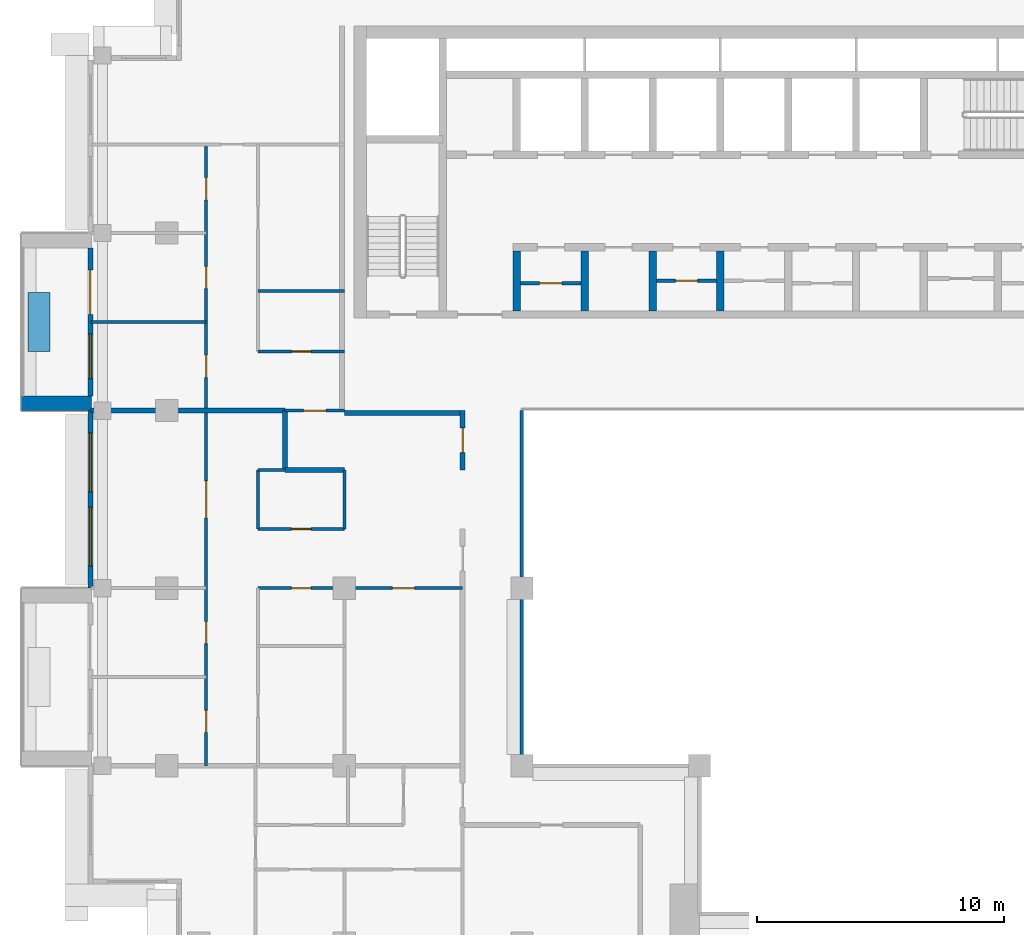
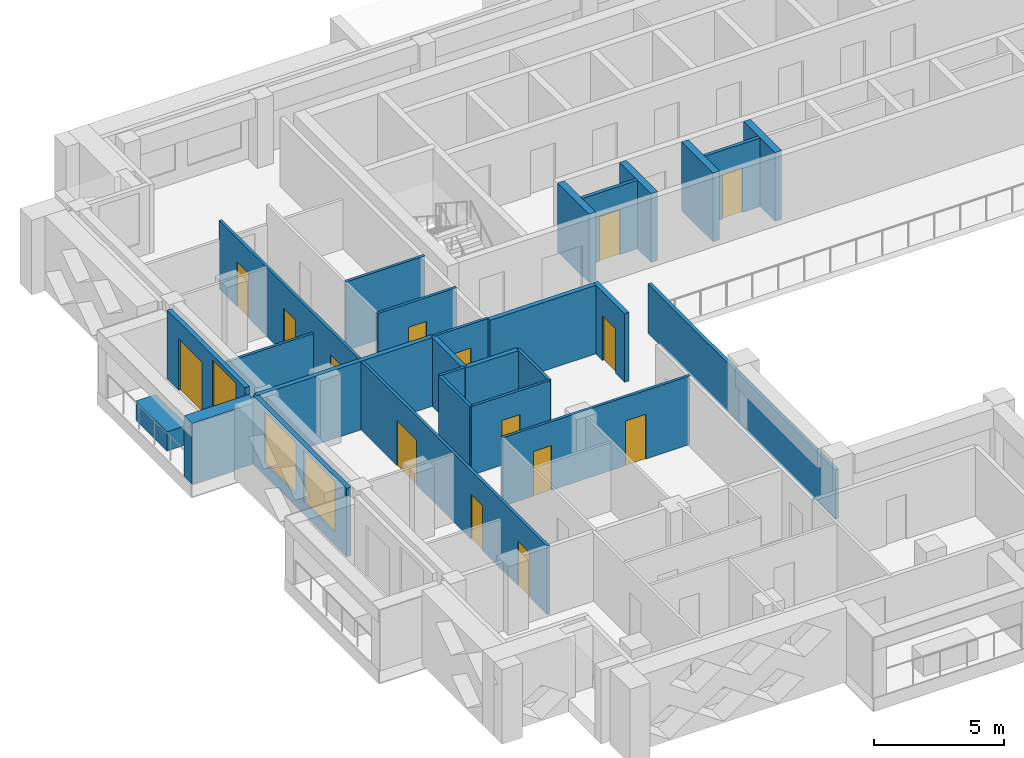
# One storey, part 7 of 19: 26 walls, 15 doors, 3 windows, 18 openings.
"""IFC4 building model written with IfcOpenShell, lengths in metres."""

from ifc_helpers import new_model, si_unit, direction, frame, frame_2d, origin, place, context, subcontext, project, spatial, rectangle, extrude, material, layer, layer_set, type_object, element, fill, save


model = new_model("IFC4")

# Units and contexts
model_context = context("Model", 3, precision=1e-05, world=origin(), true_north=direction((0.0, 1.0)))
body_context = subcontext(model_context, "Body", "Model", "MODEL_VIEW")
ifc_project = project(units=[si_unit("LENGTHUNIT", "METRE"), si_unit("AREAUNIT", "SQUARE_METRE"), si_unit("VOLUMEUNIT", "CUBIC_METRE"), si_unit("PLANEANGLEUNIT", "RADIAN"), si_unit("MASSUNIT", "GRAM", prefix="KILO")], contexts=[model_context])

# Site, building, storey
site_placement = place(None, origin())
site = spatial("IfcSite", under=ifc_project, at=site_placement, CompositionType="ELEMENT")
building_placement = place(site_placement, origin())
building = spatial("IfcBuilding", under=site, at=building_placement, Name="Saffron Iwan Residences", CompositionType="ELEMENT")
storey_placement = place(building_placement, frame((0.0, 0.0, 225.5)))
storey = spatial("IfcBuildingStorey", under=building, at=storey_placement, Name="L60", CompositionType="ELEMENT", Elevation=225.5)

# Walls
ifc_material_1 = material(Name="Fire-rated glazing", Category="glass")
ifc_layer_1 = layer(ifc_material_1, 0.14990234375)
ifc_layer_set_1 = layer_set([ifc_layer_1], Name="Fire-rated glazing")
wall_type_1 = type_object("IfcWallType", Name="Atrium glazed screen 150", PredefinedType="SOLIDWALL", material=ifc_layer_set_1)
wall_1_placement = place(storey_placement, frame((36.0, 48.0, 0.0), z_axis=(0.0, 0.0, 1.0), x_axis=(0.0, 1.0, 0.0)))
element("IfcWall", 1, at=wall_1_placement, inside=storey, type_object=wall_type_1, Name="W-L60-SCREEN-v36-48", PredefinedType="SOLIDWALL", context=body_context, shape_type="SweptSolid", body=[
    extrude(rectangle(XDim=14.39990234375, YDim=0.14990234375, at=frame_2d((7.199951171875, 0.0))), origin(), (0.0, 0.0, 1.0), 2.320068359375),
])
ifc_material_2 = material(Name="Concrete C50/60 white painted", Category="concrete")
ifc_layer_2 = layer(ifc_material_2, 0.60009765625)
ifc_layer_set_2 = layer_set([ifc_layer_2], Name="Concrete C50/60 white painted")
wall_type_2 = type_object("IfcWallType", Name="BALCONY FIN 600", PredefinedType="SOLIDWALL", material=ifc_layer_set_2)
wall_2_placement = place(storey_placement, frame((18.550048828125, 62.699951171875, 0.0), z_axis=(0.0, 0.0, 1.0), x_axis=(-1.0, 0.0, 0.0)))
element("IfcWall", 2, at=wall_2_placement, inside=storey, type_object=wall_type_2, Name="Balcony fin L60 F8-0b", PredefinedType="SOLIDWALL", context=body_context, shape_type="SweptSolid", body=[
    extrude(rectangle(XDim=2.85009765625, YDim=0.60009765625, at=frame_2d((1.425048828125, 0.0))), origin(), (0.0, 0.0, 1.0), 2.85009765625),
])
ifc_material_3 = material(Name="Concrete C35/45 white painted", Category="concrete")
ifc_layer_3 = layer(ifc_material_3, 0.14990234375)
ifc_layer_set_3 = layer_set([ifc_layer_3], Name="Concrete C35/45 white painted")
wall_type_3 = type_object("IfcWallType", Name="BALCONY PLANTER", PredefinedType="SOLIDWALL", material=ifc_layer_set_3)
wall_3_placement = place(storey_placement, frame((16.425048828125, 67.199951171875, 0.0), z_axis=(0.0, 0.0, 1.0), x_axis=(0.0, -1.0, 0.0)))
element("IfcWall", 3, at=wall_3_placement, inside=storey, type_object=wall_type_3, Name="PLANTER L60 F8-0", PredefinedType="SOLIDWALL", context=body_context, shape_type="SweptSolid", body=[
    extrude(rectangle(XDim=2.39990234375, YDim=0.89990234375, at=frame_2d((1.199951171875, 0.0))), origin(), (0.0, 0.0, 1.0), 0.89990234375),
])

# Wall, opening, door
ifc_material_4 = material(Name="Fire-rated plasterboard partition")
ifc_layer_4 = layer(ifc_material_4, 0.14990234375)
ifc_layer_set_4 = layer_set([ifc_layer_4], Name="Fire-rated plasterboard partition")
wall_type_4 = type_object("IfcWallType", Name="Core partition 150", PredefinedType="PARTITIONING", material=ifc_layer_set_4)
wall_4_placement = place(storey_placement, frame((35.949951171875, 67.5654296875, 0.0), z_axis=(0.0, 0.0, 1.0), x_axis=(1.0, 0.0, 0.0)))
wall_4 = element("IfcWall", 4, at=wall_4_placement, inside=storey, type_object=wall_type_4, Name="Core partition P01", PredefinedType="PARTITIONING", context=body_context, shape_type="SweptSolid", body=[
    extrude(rectangle(XDim=2.449951171875, YDim=0.14990234375, at=frame_2d((1.22509765625, 0.0))), origin(), (0.0, 0.0, 1.0), 3.219970703125),
])
opening_1_placement = place(wall_4_placement, frame((0.77490234375, 0.0, 0.0)))
opening_1 = element("IfcOpeningElement", 5, at=opening_1_placement, cuts=wall_4, Name="Opening SB", PredefinedType="OPENING", context=body_context, shape_type="SweptSolid", body=[
    extrude(rectangle(XDim=0.89990234375, YDim=2.10009765625, at=frame_2d((0.449951171875, 1.050048828125))), frame((0.0, 0.0849609375, 0.0), z_axis=(0.0, -1.0, 0.0), x_axis=(1.0, 0.0, 0.0)), (0.0, 0.0, 1.0), 0.169921875),
])
ifc_material_5 = material(Name="Steel fire door", Category="steel")
door_type_1 = type_object("IfcDoorType", Name="Store door 900", OperationType="NOTDEFINED", PredefinedType="DOOR", material=ifc_material_5)
door_1_placement = place(opening_1_placement, origin())
door_1 = element("IfcDoor", 6, at=door_1_placement, inside=storey, type_object=door_type_1, Name="Door Records store", OperationType="SINGLE_SWING_RIGHT", OverallHeight=2.10009765625, OverallWidth=0.89990234375, PredefinedType="DOOR", context=body_context, shape_type="SweptSolid", body=[
    extrude(rectangle(XDim=0.89990234375, YDim=2.10009765625, at=frame_2d((0.449951171875, 1.050048828125))), frame((0.0, 0.02490234375, 0.0), z_axis=(0.0, -1.0, 0.0), x_axis=(1.0, 0.0, 0.0)), (0.0, 0.0, 1.0), 0.050048828125),
])
fill(opening_1, door_1)

wall_5_placement = place(storey_placement, frame((41.449951171875, 67.66259765625, 0.0), z_axis=(0.0, 0.0, 1.0), x_axis=(1.0, 0.0, 0.0)))
wall_5 = element("IfcWall", 7, at=wall_5_placement, inside=storey, type_object=wall_type_4, Name="Core partition P02", PredefinedType="PARTITIONING", context=body_context, shape_type="SweptSolid", body=[
    extrude(rectangle(XDim=2.449951171875, YDim=0.14990234375, at=frame_2d((1.22509765625, 0.0))), origin(), (0.0, 0.0, 1.0), 3.219970703125),
])
opening_2_placement = place(wall_5_placement, frame((0.77490234375, 0.0, 0.0)))
opening_2 = element("IfcOpeningElement", 8, at=opening_2_placement, cuts=wall_5, Name="Opening SB", PredefinedType="OPENING", context=body_context, shape_type="SweptSolid", body=[
    extrude(rectangle(XDim=0.89990234375, YDim=2.10009765625, at=frame_2d((0.449951171875, 1.050048828125))), frame((0.0, 0.0849609375, 0.0), z_axis=(0.0, -1.0, 0.0), x_axis=(1.0, 0.0, 0.0)), (0.0, 0.0, 1.0), 0.169921875),
])
door_2_placement = place(opening_2_placement, origin())
door_2 = element("IfcDoor", 9, at=door_2_placement, inside=storey, type_object=door_type_1, Name="Door Tool store", OperationType="SINGLE_SWING_RIGHT", OverallHeight=2.10009765625, OverallWidth=0.89990234375, PredefinedType="DOOR", context=body_context, shape_type="SweptSolid", body=[
    extrude(rectangle(XDim=0.89990234375, YDim=2.10009765625, at=frame_2d((0.449951171875, 1.050048828125))), frame((0.0, 0.02490234375, 0.0), z_axis=(0.0, -1.0, 0.0), x_axis=(1.0, 0.0, 0.0)), (0.0, 0.0, 1.0), 0.050048828125),
])
fill(opening_2, door_2)

# Wall, openings, door, window
ifc_material_6 = material(Name="Concrete C40/50", Category="concrete")
ifc_layer_5 = layer(ifc_material_6, 0.199951171875)
ifc_layer_set_5 = layer_set([ifc_layer_5], Name="Concrete C40/50")
wall_type_5 = type_object("IfcWallType", Name="EXTERNAL WALL 200", PredefinedType="SOLIDWALL", material=ifc_layer_set_5)
wall_6_placement = place(storey_placement, frame((18.5, 69.0, 0.0), z_axis=(0.0, 0.0, 1.0), x_axis=(0.0, -1.0, 0.0)))
wall_6 = element("IfcWall", 10, at=wall_6_placement, inside=storey, type_object=wall_type_5, Name="External wall L60 F8.1", PredefinedType="SOLIDWALL", context=body_context, shape_type="SweptSolid", body=[
    extrude(rectangle(XDim=6.0, YDim=0.199951171875, at=frame_2d((3.0, 0.0))), origin(), (0.0, 0.0, 1.0), 3.219970703125),
])
opening_3_placement = place(wall_6_placement, frame((0.89990234375, 0.0, 0.0)))
opening_3 = element("IfcOpeningElement", 11, at=opening_3_placement, cuts=wall_6, Name="Opening BD1", PredefinedType="OPENING", context=body_context, shape_type="SweptSolid", body=[
    extrude(rectangle(XDim=1.800048828125, YDim=2.39990234375, at=frame_2d((0.89990234375, 1.199951171875))), frame((0.0, 0.10986328125, 0.0), z_axis=(0.0, -1.0, 0.0), x_axis=(1.0, 0.0, 0.0)), (0.0, 0.0, 1.0), 0.219970703125),
])
opening_4_placement = place(wall_6_placement, frame((3.5, 0.0, 0.60009765625)))
opening_4 = element("IfcOpeningElement", 12, at=opening_4_placement, cuts=wall_6, Name="Opening W8", PredefinedType="OPENING", context=body_context, shape_type="SweptSolid", body=[
    extrude(rectangle(XDim=1.800048828125, YDim=2.39990234375, at=frame_2d((0.89990234375, 1.199951171875))), frame((0.0, 0.10986328125, 0.0), z_axis=(0.0, -1.0, 0.0), x_axis=(1.0, 0.0, 0.0)), (0.0, 0.0, 1.0), 0.219970703125),
])
ifc_material_7 = material(Name="Clear glass, laminated double glazed", Category="glass")
door_type_2 = type_object("IfcDoorType", Name="BALCONY DOOR 1800 x 2400", OperationType="DOUBLE_DOOR_SLIDING", PredefinedType="DOOR", material=ifc_material_7)
door_3_placement = place(opening_3_placement, origin())
door_3 = element("IfcDoor", 13, at=door_3_placement, inside=storey, type_object=door_type_2, Name="Balcony door L60 F8.0", OperationType="DOUBLE_DOOR_SLIDING", OverallHeight=2.39990234375, OverallWidth=1.800048828125, PredefinedType="DOOR", context=body_context, shape_type="SweptSolid", body=[
    extrude(rectangle(XDim=1.800048828125, YDim=2.39990234375, at=frame_2d((0.89990234375, 1.199951171875))), frame((0.0, 0.02490234375, 0.0), z_axis=(0.0, -1.0, 0.0), x_axis=(1.0, 0.0, 0.0)), (0.0, 0.0, 1.0), 0.050048828125),
])
fill(opening_3, door_3)
window_type_1 = type_object("IfcWindowType", Name="WINDOW 1800 x 2400", PartitioningType="DOUBLE_PANEL_VERTICAL", PredefinedType="WINDOW", material=ifc_material_7)
window_1_placement = place(opening_4_placement, origin())
window_1 = element("IfcWindow", 14, at=window_1_placement, inside=storey, type_object=window_type_1, Name="Window L60 F8.1", OverallHeight=2.39990234375, OverallWidth=1.800048828125, PartitioningType="DOUBLE_PANEL_VERTICAL", PredefinedType="WINDOW", context=body_context, shape_type="SweptSolid", body=[
    extrude(rectangle(XDim=1.800048828125, YDim=2.39990234375, at=frame_2d((0.89990234375, 1.199951171875))), frame((0.0, 0.030029296875, 0.0), z_axis=(0.0, -1.0, 0.0), x_axis=(1.0, 0.0, 0.0)), (0.0, 0.0, 1.0), 0.06005859375),
])
fill(opening_4, window_1)

# Wall, openings, windows
wall_7_placement = place(storey_placement, frame((18.5, 62.39990234375, 0.0), z_axis=(0.0, 0.0, 1.0), x_axis=(0.0, -1.0, 0.0)))
wall_7 = element("IfcWall", 15, at=wall_7_placement, inside=storey, type_object=wall_type_5, Name="External wall L60 F8.2", PredefinedType="SOLIDWALL", context=body_context, shape_type="SweptSolid", body=[
    extrude(rectangle(XDim=7.199951171875, YDim=0.199951171875, at=frame_2d((3.60009765625, 0.0))), origin(), (0.0, 0.0, 1.0), 3.219970703125),
])
opening_5_placement = place(wall_7_placement, frame((0.89990234375, 0.0, 0.60009765625)))
opening_5 = element("IfcOpeningElement", 16, at=opening_5_placement, cuts=wall_7, Name="Opening W1", PredefinedType="OPENING", context=body_context, shape_type="SweptSolid", body=[
    extrude(rectangle(XDim=2.39990234375, YDim=2.39990234375, at=frame_2d((1.199951171875, 1.199951171875))), frame((0.0, 0.10986328125, 0.0), z_axis=(0.0, -1.0, 0.0), x_axis=(1.0, 0.0, 0.0)), (0.0, 0.0, 1.0), 0.219970703125),
])
opening_6_placement = place(wall_7_placement, frame((3.89990234375, 0.0, 0.60009765625)))
opening_6 = element("IfcOpeningElement", 17, at=opening_6_placement, cuts=wall_7, Name="Opening W1", PredefinedType="OPENING", context=body_context, shape_type="SweptSolid", body=[
    extrude(rectangle(XDim=2.39990234375, YDim=2.39990234375, at=frame_2d((1.199951171875, 1.199951171875))), frame((0.0, 0.10986328125, 0.0), z_axis=(0.0, -1.0, 0.0), x_axis=(1.0, 0.0, 0.0)), (0.0, 0.0, 1.0), 0.219970703125),
])
window_type_2 = type_object("IfcWindowType", Name="WINDOW 2400 x 2400", PartitioningType="DOUBLE_PANEL_VERTICAL", PredefinedType="WINDOW", material=ifc_material_7)
window_2_placement = place(opening_5_placement, origin())
window_2 = element("IfcWindow", 18, at=window_2_placement, inside=storey, type_object=window_type_2, Name="Window L60 F8.0", OverallHeight=2.39990234375, OverallWidth=2.39990234375, PartitioningType="DOUBLE_PANEL_VERTICAL", PredefinedType="WINDOW", context=body_context, shape_type="SweptSolid", body=[
    extrude(rectangle(XDim=2.39990234375, YDim=2.39990234375, at=frame_2d((1.199951171875, 1.199951171875))), frame((0.0, 0.030029296875, 0.0), z_axis=(0.0, -1.0, 0.0), x_axis=(1.0, 0.0, 0.0)), (0.0, 0.0, 1.0), 0.06005859375),
])
fill(opening_5, window_2)
window_3_placement = place(opening_6_placement, origin())
window_3 = element("IfcWindow", 19, at=window_3_placement, inside=storey, type_object=window_type_2, Name="Window L60 F8.1", OverallHeight=2.39990234375, OverallWidth=2.39990234375, PartitioningType="DOUBLE_PANEL_VERTICAL", PredefinedType="WINDOW", context=body_context, shape_type="SweptSolid", body=[
    extrude(rectangle(XDim=2.39990234375, YDim=2.39990234375, at=frame_2d((1.199951171875, 1.199951171875))), frame((0.0, 0.030029296875, 0.0), z_axis=(0.0, -1.0, 0.0), x_axis=(1.0, 0.0, 0.0)), (0.0, 0.0, 1.0), 0.06005859375),
])
fill(opening_6, window_3)

# Walls
ifc_material_8 = material(Name="Fire-rated gypsum board wall")
ifc_layer_6 = layer(ifc_material_8, 0.199951171875)
ifc_layer_set_6 = layer_set([ifc_layer_6], Name="Fire-rated gypsum board wall")
wall_type_6 = type_object("IfcWallType", Name="Flat demising wall 200", PredefinedType="SOLIDWALL", material=ifc_layer_set_6)
wall_8_placement = place(storey_placement, frame((26.39990234375, 60.0, 0.0), z_axis=(0.0, 0.0, 1.0), x_axis=(1.0, 0.0, 0.0)))
element("IfcWall", 20, at=wall_8_placement, inside=storey, type_object=wall_type_6, Name="W-L60-DEMISE-h60-26.4", PredefinedType="SOLIDWALL", context=body_context, shape_type="SweptSolid", body=[
    extrude(rectangle(XDim=2.400146484375, YDim=0.199951171875, at=frame_2d((1.2001953125, 0.0))), origin(), (0.0, 0.0, 1.0), 3.219970703125),
])
wall_9_placement = place(storey_placement, frame((18.52490234375, 62.39990234375, 0.0), z_axis=(0.0, 0.0, 1.0), x_axis=(1.0, 0.0, 0.0)))
element("IfcWall", 21, at=wall_9_placement, inside=storey, type_object=wall_type_6, Name="W-L60-DEMISE-h62.4-18.525", PredefinedType="SOLIDWALL", context=body_context, shape_type="SweptSolid", body=[
    extrude(rectangle(XDim=7.875, YDim=0.199951171875, at=frame_2d((3.9375, 0.0))), origin(), (0.0, 0.0, 1.0), 3.219970703125),
])
wall_10_placement = place(storey_placement, frame((26.39990234375, 60.0, 0.0), z_axis=(0.0, 0.0, 1.0), x_axis=(0.0, 1.0, 0.0)))
element("IfcWall", 22, at=wall_10_placement, inside=storey, type_object=wall_type_6, Name="W-L60-DEMISE-v26.4-60", PredefinedType="SOLIDWALL", context=body_context, shape_type="SweptSolid", body=[
    extrude(rectangle(XDim=2.39990234375, YDim=0.199951171875, at=frame_2d((1.199951171875, 0.0))), origin(), (0.0, 0.0, 1.0), 3.219970703125),
])

# Wall, openings, doors
ifc_material_9 = material(Name="Gypsum board partition")
ifc_layer_7 = layer(ifc_material_9, 0.1201171875)
ifc_layer_set_7 = layer_set([ifc_layer_7], Name="Gypsum board partition")
wall_type_7 = type_object("IfcWallType", Name="Flat partition 120", PredefinedType="PARTITIONING", material=ifc_layer_set_7)
wall_11_placement = place(storey_placement, frame((25.300048828125, 55.199951171875, 0.0), z_axis=(0.0, 0.0, 1.0), x_axis=(1.0, 0.0, 0.0)))
wall_11 = element("IfcWall", 23, at=wall_11_placement, inside=storey, type_object=wall_type_7, Name="W-L60-PART-h55.2-25.3", PredefinedType="PARTITIONING", context=body_context, shape_type="SweptSolid", body=[
    extrude(rectangle(XDim=8.300048828125, YDim=0.1201171875, at=frame_2d((4.14990234375, 0.0))), origin(), (0.0, 0.0, 1.0), 3.219970703125),
])
opening_7_placement = place(wall_11_placement, frame((1.35009765625, 0.0, 0.0)))
opening_7 = element("IfcOpeningElement", 24, at=opening_7_placement, cuts=wall_11, Name="Opening FD3", PredefinedType="OPENING", context=body_context, shape_type="SweptSolid", body=[
    extrude(rectangle(XDim=0.800048828125, YDim=2.10009765625, at=frame_2d((0.39990234375, 1.050048828125))), frame((0.0, 0.070068359375, 0.0), z_axis=(0.0, -1.0, 0.0), x_axis=(1.0, 0.0, 0.0)), (0.0, 0.0, 1.0), 0.14013671875),
])
opening_8_placement = place(wall_11_placement, frame((5.449951171875, 0.0, 0.0)))
opening_8 = element("IfcOpeningElement", 25, at=opening_8_placement, cuts=wall_11, Name="Opening FD2", PredefinedType="OPENING", context=body_context, shape_type="SweptSolid", body=[
    extrude(rectangle(XDim=0.89990234375, YDim=2.10009765625, at=frame_2d((0.449951171875, 1.050048828125))), frame((0.0, 0.070068359375, 0.0), z_axis=(0.0, -1.0, 0.0), x_axis=(1.0, 0.0, 0.0)), (0.0, 0.0, 1.0), 0.14013671875),
])
ifc_material_10 = material(Name="Timber door", Category="wood")
door_type_3 = type_object("IfcDoorType", Name="Bathroom door 800", OperationType="NOTDEFINED", PredefinedType="DOOR", material=ifc_material_10)
door_4_placement = place(opening_7_placement, origin())
door_4 = element("IfcDoor", 26, at=door_4_placement, inside=storey, type_object=door_type_3, Name="Door L60-013", OperationType="SINGLE_SWING_RIGHT", OverallHeight=2.10009765625, OverallWidth=0.800048828125, PredefinedType="DOOR", context=body_context, shape_type="SweptSolid", body=[
    extrude(rectangle(XDim=0.800048828125, YDim=2.10009765625, at=frame_2d((0.39990234375, 1.050048828125))), frame((0.0, 0.02490234375, 0.0), z_axis=(0.0, -1.0, 0.0), x_axis=(1.0, 0.0, 0.0)), (0.0, 0.0, 1.0), 0.050048828125),
])
fill(opening_7, door_4)
door_type_4 = type_object("IfcDoorType", Name="Flat door 900", OperationType="NOTDEFINED", PredefinedType="DOOR", material=ifc_material_10)
door_5_placement = place(opening_8_placement, origin())
door_5 = element("IfcDoor", 27, at=door_5_placement, inside=storey, type_object=door_type_4, Name="Door L60-015", OperationType="SINGLE_SWING_LEFT", OverallHeight=2.10009765625, OverallWidth=0.89990234375, PredefinedType="DOOR", context=body_context, shape_type="SweptSolid", body=[
    extrude(rectangle(XDim=0.89990234375, YDim=2.10009765625, at=frame_2d((0.449951171875, 1.050048828125))), frame((0.0, 0.02490234375, 0.0), z_axis=(0.0, -1.0, 0.0), x_axis=(1.0, 0.0, 0.0)), (0.0, 0.0, 1.0), 0.050048828125),
])
fill(opening_8, door_5)

# Wall, opening, door
wall_12_placement = place(storey_placement, frame((25.300048828125, 57.60009765625, 0.0), z_axis=(0.0, 0.0, 1.0), x_axis=(1.0, 0.0, 0.0)))
wall_12 = element("IfcWall", 28, at=wall_12_placement, inside=storey, type_object=wall_type_7, Name="W-L60-PART-h57.6-25.3", PredefinedType="PARTITIONING", context=body_context, shape_type="SweptSolid", body=[
    extrude(rectangle(XDim=3.5, YDim=0.1201171875, at=frame_2d((1.75, 0.0))), origin(), (0.0, 0.0, 1.0), 3.219970703125),
])
opening_9_placement = place(wall_12_placement, frame((1.35009765625, 0.0, 0.0)))
opening_9 = element("IfcOpeningElement", 29, at=opening_9_placement, cuts=wall_12, Name="Opening FD3", PredefinedType="OPENING", context=body_context, shape_type="SweptSolid", body=[
    extrude(rectangle(XDim=0.800048828125, YDim=2.10009765625, at=frame_2d((0.39990234375, 1.050048828125))), frame((0.0, 0.070068359375, 0.0), z_axis=(0.0, -1.0, 0.0), x_axis=(1.0, 0.0, 0.0)), (0.0, 0.0, 1.0), 0.14013671875),
])
door_6_placement = place(opening_9_placement, origin())
door_6 = element("IfcDoor", 30, at=door_6_placement, inside=storey, type_object=door_type_3, Name="Door L60-014", OperationType="SINGLE_SWING_LEFT", OverallHeight=2.10009765625, OverallWidth=0.800048828125, PredefinedType="DOOR", context=body_context, shape_type="SweptSolid", body=[
    extrude(rectangle(XDim=0.800048828125, YDim=2.10009765625, at=frame_2d((0.39990234375, 1.050048828125))), frame((0.0, 0.02490234375, 0.0), z_axis=(0.0, -1.0, 0.0), x_axis=(1.0, 0.0, 0.0)), (0.0, 0.0, 1.0), 0.050048828125),
])
fill(opening_9, door_6)

# Wall
wall_13_placement = place(storey_placement, frame((25.300048828125, 60.0, 0.0), z_axis=(0.0, 0.0, 1.0), x_axis=(1.0, 0.0, 0.0)))
element("IfcWall", 31, at=wall_13_placement, inside=storey, type_object=wall_type_7, Name="W-L60-PART-h60-25.3", PredefinedType="PARTITIONING", context=body_context, shape_type="SweptSolid", body=[
    extrude(rectangle(XDim=1.099853515625, YDim=0.1201171875, at=frame_2d((0.5498046875, 0.0))), origin(), (0.0, 0.0, 1.0), 3.219970703125),
])

# Wall, opening, door
wall_14_placement = place(storey_placement, frame((26.39990234375, 62.39990234375, 0.0), z_axis=(0.0, 0.0, 1.0), x_axis=(1.0, 0.0, 0.0)))
wall_14 = element("IfcWall", 32, at=wall_14_placement, inside=storey, type_object=wall_type_7, Name="W-L60-PART-h62.4-26.4", PredefinedType="PARTITIONING", context=body_context, shape_type="SweptSolid", body=[
    extrude(rectangle(XDim=2.400146484375, YDim=0.1201171875, at=frame_2d((1.2001953125, 0.0))), origin(), (0.0, 0.0, 1.0), 3.219970703125),
])
opening_10_placement = place(wall_14_placement, frame((0.75, 0.0, 0.0)))
opening_10 = element("IfcOpeningElement", 33, at=opening_10_placement, cuts=wall_14, Name="Opening FD2", PredefinedType="OPENING", context=body_context, shape_type="SweptSolid", body=[
    extrude(rectangle(XDim=0.89990234375, YDim=2.10009765625, at=frame_2d((0.449951171875, 1.050048828125))), frame((0.0, 0.070068359375, 0.0), z_axis=(0.0, -1.0, 0.0), x_axis=(1.0, 0.0, 0.0)), (0.0, 0.0, 1.0), 0.14013671875),
])
door_7_placement = place(opening_10_placement, origin())
door_7 = element("IfcDoor", 34, at=door_7_placement, inside=storey, type_object=door_type_4, Name="Door L60-024", OperationType="SINGLE_SWING_LEFT", OverallHeight=2.10009765625, OverallWidth=0.89990234375, PredefinedType="DOOR", context=body_context, shape_type="SweptSolid", body=[
    extrude(rectangle(XDim=0.89990234375, YDim=2.10009765625, at=frame_2d((0.449951171875, 1.050048828125))), frame((0.0, 0.02490234375, 0.0), z_axis=(0.0, -1.0, 0.0), x_axis=(1.0, 0.0, 0.0)), (0.0, 0.0, 1.0), 0.050048828125),
])
fill(opening_10, door_7)

wall_15_placement = place(storey_placement, frame((25.300048828125, 64.800048828125, 0.0), z_axis=(0.0, 0.0, 1.0), x_axis=(1.0, 0.0, 0.0)))
wall_15 = element("IfcWall", 35, at=wall_15_placement, inside=storey, type_object=wall_type_7, Name="W-L60-PART-h64.8-25.3", PredefinedType="PARTITIONING", context=body_context, shape_type="SweptSolid", body=[
    extrude(rectangle(XDim=3.5, YDim=0.1201171875, at=frame_2d((1.75, 0.0))), origin(), (0.0, 0.0, 1.0), 3.219970703125),
])
opening_11_placement = place(wall_15_placement, frame((1.35009765625, 0.0, 0.0)))
opening_11 = element("IfcOpeningElement", 36, at=opening_11_placement, cuts=wall_15, Name="Opening FD3", PredefinedType="OPENING", context=body_context, shape_type="SweptSolid", body=[
    extrude(rectangle(XDim=0.800048828125, YDim=2.10009765625, at=frame_2d((0.39990234375, 1.050048828125))), frame((0.0, 0.070068359375, 0.0), z_axis=(0.0, -1.0, 0.0), x_axis=(1.0, 0.0, 0.0)), (0.0, 0.0, 1.0), 0.14013671875),
])
door_8_placement = place(opening_11_placement, origin())
door_8 = element("IfcDoor", 37, at=door_8_placement, inside=storey, type_object=door_type_3, Name="Door L60-030", OperationType="SINGLE_SWING_LEFT", OverallHeight=2.10009765625, OverallWidth=0.800048828125, PredefinedType="DOOR", context=body_context, shape_type="SweptSolid", body=[
    extrude(rectangle(XDim=0.800048828125, YDim=2.10009765625, at=frame_2d((0.39990234375, 1.050048828125))), frame((0.0, 0.02490234375, 0.0), z_axis=(0.0, -1.0, 0.0), x_axis=(1.0, 0.0, 0.0)), (0.0, 0.0, 1.0), 0.050048828125),
])
fill(opening_11, door_8)

# Walls
wall_16_placement = place(storey_placement, frame((18.52490234375, 66.0, 0.0), z_axis=(0.0, 0.0, 1.0), x_axis=(1.0, 0.0, 0.0)))
element("IfcWall", 38, at=wall_16_placement, inside=storey, type_object=wall_type_7, Name="W-L60-PART-h66-18.525", PredefinedType="PARTITIONING", context=body_context, shape_type="SweptSolid", body=[
    extrude(rectangle(XDim=4.675048828125, YDim=0.1201171875, at=frame_2d((2.33740234375, 0.0))), origin(), (0.0, 0.0, 1.0), 2.320068359375),
])
wall_17_placement = place(storey_placement, frame((25.300048828125, 67.25, 0.0), z_axis=(0.0, 0.0, 1.0), x_axis=(1.0, 0.0, 0.0)))
element("IfcWall", 39, at=wall_17_placement, inside=storey, type_object=wall_type_7, Name="W-L60-PART-h67.25-25.3", PredefinedType="PARTITIONING", context=body_context, shape_type="SweptSolid", body=[
    extrude(rectangle(XDim=3.5, YDim=0.1201171875, at=frame_2d((1.75, 0.0))), origin(), (0.0, 0.0, 1.0), 3.219970703125),
])

# Wall, openings, doors
wall_18_placement = place(storey_placement, frame((23.199951171875, 48.0, 0.0), z_axis=(0.0, 0.0, 1.0), x_axis=(0.0, 1.0, 0.0)))
wall_18 = element("IfcWall", 40, at=wall_18_placement, inside=storey, type_object=wall_type_7, Name="W-L60-PART-v23.2-48", PredefinedType="PARTITIONING", context=body_context, shape_type="SweptSolid", body=[
    extrude(rectangle(XDim=25.199951171875, YDim=0.1201171875, at=frame_2d((12.60009765625, 0.0))), origin(), (0.0, 0.0, 1.0), 3.219970703125),
])
opening_12_placement = place(wall_18_placement, frame((1.35009765625, 0.0, 0.0)))
opening_12 = element("IfcOpeningElement", 41, at=opening_12_placement, cuts=wall_18, Name="Opening FD2", PredefinedType="OPENING", context=body_context, shape_type="SweptSolid", body=[
    extrude(rectangle(XDim=0.89990234375, YDim=2.10009765625, at=frame_2d((0.449951171875, 1.050048828125))), frame((0.0, 0.070068359375, 0.0), z_axis=(0.0, -1.0, 0.0), x_axis=(1.0, 0.0, 0.0)), (0.0, 0.0, 1.0), 0.14013671875),
])
opening_13_placement = place(wall_18_placement, frame((4.949951171875, 0.0, 0.0)))
opening_13 = element("IfcOpeningElement", 42, at=opening_13_placement, cuts=wall_18, Name="Opening FD2", PredefinedType="OPENING", context=body_context, shape_type="SweptSolid", body=[
    extrude(rectangle(XDim=0.89990234375, YDim=2.10009765625, at=frame_2d((0.449951171875, 1.050048828125))), frame((0.0, 0.070068359375, 0.0), z_axis=(0.0, -1.0, 0.0), x_axis=(1.0, 0.0, 0.0)), (0.0, 0.0, 1.0), 0.14013671875),
])
opening_14_placement = place(wall_18_placement, frame((10.050048828125, 0.0, 0.0)))
opening_14 = element("IfcOpeningElement", 43, at=opening_14_placement, cuts=wall_18, Name="Opening FD4", PredefinedType="OPENING", context=body_context, shape_type="SweptSolid", body=[
    extrude(rectangle(XDim=1.5, YDim=2.10009765625, at=frame_2d((0.75, 1.050048828125))), frame((0.0, 0.070068359375, 0.0), z_axis=(0.0, -1.0, 0.0), x_axis=(1.0, 0.0, 0.0)), (0.0, 0.0, 1.0), 0.14013671875),
])
opening_15_placement = place(wall_18_placement, frame((15.75, 0.0, 0.0)))
opening_15 = element("IfcOpeningElement", 44, at=opening_15_placement, cuts=wall_18, Name="Opening FD2", PredefinedType="OPENING", context=body_context, shape_type="SweptSolid", body=[
    extrude(rectangle(XDim=0.89990234375, YDim=2.10009765625, at=frame_2d((0.449951171875, 1.050048828125))), frame((0.0, 0.070068359375, 0.0), z_axis=(0.0, -1.0, 0.0), x_axis=(1.0, 0.0, 0.0)), (0.0, 0.0, 1.0), 0.14013671875),
])
opening_16_placement = place(wall_18_placement, frame((19.35009765625, 0.0, 0.0)))
opening_16 = element("IfcOpeningElement", 45, at=opening_16_placement, cuts=wall_18, Name="Opening FD2", PredefinedType="OPENING", context=body_context, shape_type="SweptSolid", body=[
    extrude(rectangle(XDim=0.89990234375, YDim=2.10009765625, at=frame_2d((0.449951171875, 1.050048828125))), frame((0.0, 0.070068359375, 0.0), z_axis=(0.0, -1.0, 0.0), x_axis=(1.0, 0.0, 0.0)), (0.0, 0.0, 1.0), 0.14013671875),
])
opening_17_placement = place(wall_18_placement, frame((22.949951171875, 0.0, 0.0)))
opening_17 = element("IfcOpeningElement", 46, at=opening_17_placement, cuts=wall_18, Name="Opening FD2", PredefinedType="OPENING", context=body_context, shape_type="SweptSolid", body=[
    extrude(rectangle(XDim=0.89990234375, YDim=2.10009765625, at=frame_2d((0.449951171875, 1.050048828125))), frame((0.0, 0.070068359375, 0.0), z_axis=(0.0, -1.0, 0.0), x_axis=(1.0, 0.0, 0.0)), (0.0, 0.0, 1.0), 0.14013671875),
])
door_type_5 = type_object("IfcDoorType", Name="Double door 1500", OperationType="NOTDEFINED", PredefinedType="DOOR", material=ifc_material_10)
door_9_placement = place(opening_14_placement, origin())
door_9 = element("IfcDoor", 47, at=door_9_placement, inside=storey, type_object=door_type_5, Name="Door L60-011", OperationType="SINGLE_SWING_LEFT", OverallHeight=2.10009765625, OverallWidth=1.5, PredefinedType="DOOR", context=body_context, shape_type="SweptSolid", body=[
    extrude(rectangle(XDim=1.5, YDim=2.10009765625, at=frame_2d((0.75, 1.050048828125))), frame((0.0, 0.02490234375, 0.0), z_axis=(0.0, -1.0, 0.0), x_axis=(1.0, 0.0, 0.0)), (0.0, 0.0, 1.0), 0.050048828125),
])
fill(opening_14, door_9)
door_10_placement = place(opening_12_placement, origin())
door_10 = element("IfcDoor", 48, at=door_10_placement, inside=storey, type_object=door_type_4, Name="Door L60-009", OperationType="SINGLE_SWING_LEFT", OverallHeight=2.10009765625, OverallWidth=0.89990234375, PredefinedType="DOOR", context=body_context, shape_type="SweptSolid", body=[
    extrude(rectangle(XDim=0.89990234375, YDim=2.10009765625, at=frame_2d((0.449951171875, 1.050048828125))), frame((0.0, 0.02490234375, 0.0), z_axis=(0.0, -1.0, 0.0), x_axis=(1.0, 0.0, 0.0)), (0.0, 0.0, 1.0), 0.050048828125),
])
fill(opening_12, door_10)
door_11_placement = place(opening_13_placement, origin())
door_11 = element("IfcDoor", 49, at=door_11_placement, inside=storey, type_object=door_type_4, Name="Door L60-010", OperationType="SINGLE_SWING_RIGHT", OverallHeight=2.10009765625, OverallWidth=0.89990234375, PredefinedType="DOOR", context=body_context, shape_type="SweptSolid", body=[
    extrude(rectangle(XDim=0.89990234375, YDim=2.10009765625, at=frame_2d((0.449951171875, 1.050048828125))), frame((0.0, 0.02490234375, 0.0), z_axis=(0.0, -1.0, 0.0), x_axis=(1.0, 0.0, 0.0)), (0.0, 0.0, 1.0), 0.050048828125),
])
fill(opening_13, door_11)
door_12_placement = place(opening_15_placement, origin())
door_12 = element("IfcDoor", 50, at=door_12_placement, inside=storey, type_object=door_type_4, Name="Door L60-026", OperationType="SINGLE_SWING_LEFT", OverallHeight=2.10009765625, OverallWidth=0.89990234375, PredefinedType="DOOR", context=body_context, shape_type="SweptSolid", body=[
    extrude(rectangle(XDim=0.89990234375, YDim=2.10009765625, at=frame_2d((0.449951171875, 1.050048828125))), frame((0.0, 0.02490234375, 0.0), z_axis=(0.0, -1.0, 0.0), x_axis=(1.0, 0.0, 0.0)), (0.0, 0.0, 1.0), 0.050048828125),
])
fill(opening_15, door_12)
door_13_placement = place(opening_16_placement, origin())
door_13 = element("IfcDoor", 51, at=door_13_placement, inside=storey, type_object=door_type_4, Name="Door L60-027", OperationType="SINGLE_SWING_LEFT", OverallHeight=2.10009765625, OverallWidth=0.89990234375, PredefinedType="DOOR", context=body_context, shape_type="SweptSolid", body=[
    extrude(rectangle(XDim=0.89990234375, YDim=2.10009765625, at=frame_2d((0.449951171875, 1.050048828125))), frame((0.0, 0.02490234375, 0.0), z_axis=(0.0, -1.0, 0.0), x_axis=(1.0, 0.0, 0.0)), (0.0, 0.0, 1.0), 0.050048828125),
])
fill(opening_16, door_13)
door_14_placement = place(opening_17_placement, origin())
door_14 = element("IfcDoor", 52, at=door_14_placement, inside=storey, type_object=door_type_4, Name="Door L60-028", OperationType="SINGLE_SWING_RIGHT", OverallHeight=2.10009765625, OverallWidth=0.89990234375, PredefinedType="DOOR", context=body_context, shape_type="SweptSolid", body=[
    extrude(rectangle(XDim=0.89990234375, YDim=2.10009765625, at=frame_2d((0.449951171875, 1.050048828125))), frame((0.0, 0.02490234375, 0.0), z_axis=(0.0, -1.0, 0.0), x_axis=(1.0, 0.0, 0.0)), (0.0, 0.0, 1.0), 0.050048828125),
])
fill(opening_17, door_14)

# Walls
for number, where, z_axis, x_axis, name in (
    (53, (25.300048828125, 57.60009765625, 0.0), (0.0, 0.0, 1.0), (0.0, 1.0, 0.0), "W-L60-PART-v25.3-57.6"),
    (54, (28.800048828125, 57.60009765625, 0.0), (0.0, 0.0, 1.0), (0.0, 1.0, 0.0), "W-L60-PART-v28.8-57.6"),
):
    element("IfcWall", number, at=place(storey_placement, frame(where, z_axis=z_axis, x_axis=x_axis)), inside=storey, type_object=wall_type_7, Name=name, PredefinedType="PARTITIONING", context=body_context, shape_type="SweptSolid", body=[
        extrude(rectangle(XDim=2.39990234375, YDim=0.1201171875, at=frame_2d((1.199951171875, 0.0))), origin(), (0.0, 0.0, 1.0), 3.219970703125),
    ])
ifc_layer_8 = layer(ifc_material_8, 0.199951171875)
ifc_layer_set_8 = layer_set([ifc_layer_8], Name="Fire-rated gypsum board wall")
wall_type_8 = type_object("IfcWallType", Name="Gallery wall 200", PredefinedType="SOLIDWALL", material=ifc_layer_set_8)
wall_19_placement = place(storey_placement, frame((28.800048828125, 62.300048828125, 0.0), z_axis=(0.0, 0.0, 1.0), x_axis=(1.0, 0.0, 0.0)))
element("IfcWall", 55, at=wall_19_placement, inside=storey, type_object=wall_type_8, Name="W-L60-CORR-h62.4-28.8", PredefinedType="SOLIDWALL", context=body_context, shape_type="SweptSolid", body=[
    extrude(rectangle(XDim=4.800048828125, YDim=0.199951171875, at=frame_2d((2.39990234375, 0.0))), origin(), (0.0, 0.0, 1.0), 3.219970703125),
])

# Wall, opening, door
wall_20_placement = place(storey_placement, frame((33.60009765625, 60.0, 0.0), z_axis=(0.0, 0.0, 1.0), x_axis=(0.0, 1.0, 0.0)))
wall_20 = element("IfcWall", 56, at=wall_20_placement, inside=storey, type_object=wall_type_8, Name="W-L60-CORR-v33.6-60", PredefinedType="SOLIDWALL", context=body_context, shape_type="SweptSolid", body=[
    extrude(rectangle(XDim=2.39990234375, YDim=0.199951171875, at=frame_2d((1.199951171875, 0.0))), origin(), (0.0, 0.0, 1.0), 3.219970703125),
])
opening_18_placement = place(wall_20_placement, frame((0.699951171875, 0.0, 0.0)))
opening_18 = element("IfcOpeningElement", 57, at=opening_18_placement, cuts=wall_20, Name="Opening FD5", PredefinedType="OPENING", context=body_context, shape_type="SweptSolid", body=[
    extrude(rectangle(XDim=1.0, YDim=2.10009765625, at=frame_2d((0.5, 1.050048828125))), frame((0.0, 0.10986328125, 0.0), z_axis=(0.0, -1.0, 0.0), x_axis=(1.0, 0.0, 0.0)), (0.0, 0.0, 1.0), 0.219970703125),
])
ifc_material_11 = material(Name="Fire-rated timber door", Category="wood")
door_type_6 = type_object("IfcDoorType", Name="Lobby door 1000", OperationType="NOTDEFINED", PredefinedType="DOOR", material=ifc_material_11)
door_15_placement = place(opening_18_placement, origin())
door_15 = element("IfcDoor", 58, at=door_15_placement, inside=storey, type_object=door_type_6, Name="Door L60-025", OperationType="SINGLE_SWING_RIGHT", OverallHeight=2.10009765625, OverallWidth=1.0, PredefinedType="DOOR", context=body_context, shape_type="SweptSolid", body=[
    extrude(rectangle(XDim=1.0, YDim=2.10009765625, at=frame_2d((0.5, 1.050048828125))), frame((0.0, 0.02490234375, 0.0), z_axis=(0.0, -1.0, 0.0), x_axis=(1.0, 0.0, 0.0)), (0.0, 0.0, 1.0), 0.050048828125),
])
fill(opening_18, door_15)

# Walls
ifc_layer_9 = layer(ifc_material_6, 0.300048828125)
ifc_layer_set_9 = layer_set([ifc_layer_9], Name="Concrete C40/50")
wall_type_9 = type_object("IfcWallType", Name="WALL CORE 300 C40/50 3220 HIGH", PredefinedType="SHEAR", material=ifc_layer_set_9)
for number, where, z_axis, x_axis, name in (
    (59, (35.800048828125, 66.449951171875, 0.0), (0.0, 0.0, 1.0), (0.0, 1.0, 0.0), "Core wall"),
    (60, (38.550048828125, 66.449951171875, 0.0), (0.0, 0.0, 1.0), (0.0, 1.0, 0.0), "Core wall"),
    (61, (41.300048828125, 66.449951171875, 0.0), (0.0, 0.0, 1.0), (0.0, 1.0, 0.0), "Core wall"),
    (62, (44.050048828125, 66.449951171875, 0.0), (0.0, 0.0, 1.0), (0.0, 1.0, 0.0), "Core wall"),
):
    element("IfcWall", number, at=place(storey_placement, frame(where, z_axis=z_axis, x_axis=x_axis)), inside=storey, type_object=wall_type_9, Name=name, PredefinedType="SHEAR", context=body_context, shape_type="SweptSolid", body=[
        extrude(rectangle(XDim=2.425048828125, YDim=0.300048828125, at=frame_2d((1.21240234375, 0.0))), origin(), (0.0, 0.0, 1.0), 3.219970703125),
    ])

save(model, "model.ifc")
